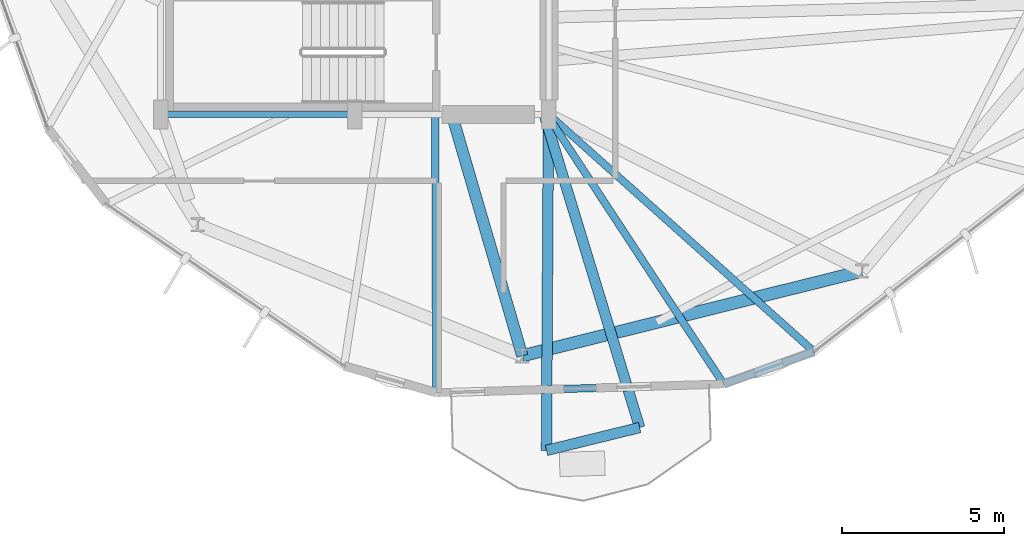
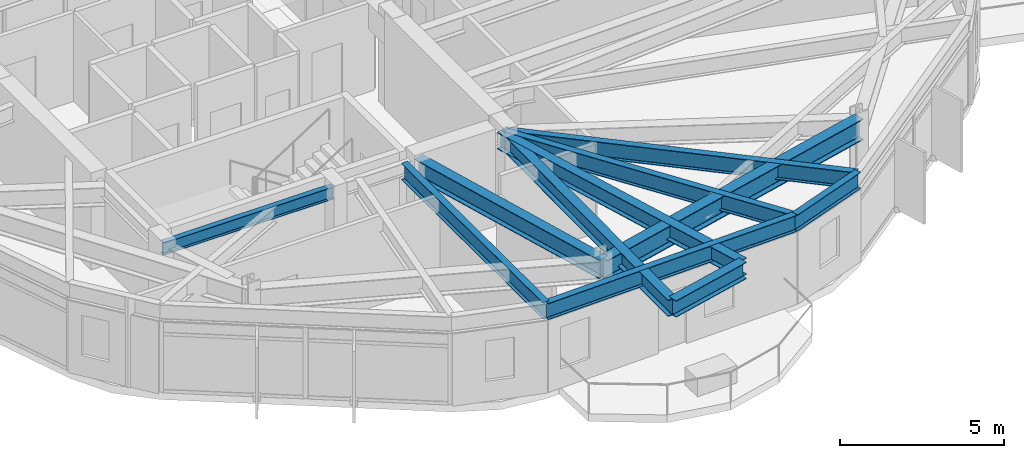
# One storey, part 4 of 23: 11 beams.
"""IFC4 building model written with IfcOpenShell, lengths in metres."""

import ifcopenshell
import ifcopenshell.guid

model = None  # the IFC model being written
_history = None  # IfcOwnerHistory: only IFC2X3 demands one
_inside = {}  # id of a spatial element -> (the spatial element, [elements in it])
_under = {}  # id of a project, library or spatial element -> (it, [spatial elements below it])
_declared = {}  # id of a project -> (the project, [libraries it declares])
_typed = {}  # id of a type object -> (the type object, [elements of that type])
_made_of = {}  # id of a material, layer set ... -> (it, [elements and type objects made of it])


def new_model(schema):
    """Start an empty IFC model of exactly this schema.

    Asked for "IFC4X3", IfcOpenShell would pick the latest addendum, in which some entities
    have other attributes; the version numbers below select the first issue.
    IFC2X3 requires an IfcOwnerHistory on every rooted entity: one is made here for all.
    """
    global model, _history
    if schema == "IFC4X3":
        model = ifcopenshell.file(schema_version=(4, 3, 0, 0))
    else:
        model = ifcopenshell.file(schema=schema)
    _inside.clear()
    _under.clear()
    _declared.clear()
    _typed.clear()
    _made_of.clear()
    _history = None
    if model.schema == "IFC2X3":
        org = make("IfcOrganization", Name="unknown")
        user = make(
            "IfcPersonAndOrganization",
            ThePerson=make("IfcPerson", FamilyName="unknown"),
            TheOrganization=org,
        )
        app = make(
            "IfcApplication",
            ApplicationDeveloper=org,
            Version="unknown",
            ApplicationFullName="unknown",
            ApplicationIdentifier="unknown",
        )
        _history = make(
            "IfcOwnerHistory",
            OwningUser=user,
            OwningApplication=app,
            ChangeAction="ADDED",
            CreationDate=0,
        )
    return model


def make(cls, **values):
    """One entity of the class cls with the attributes given. An attribute that is None is left unset."""
    return model.create_entity(
        cls, **{name: value for name, value in values.items() if value is not None}
    )


def rooted(cls, **values):
    """An entity with a GlobalId (a new one), such as an element, a storey or a relation."""
    return make(cls, GlobalId=ifcopenshell.guid.new(), OwnerHistory=_history, **values)


def si_unit(unit_type, name, prefix=None):
    """IfcSIUnit, for example si_unit("LENGTHUNIT", "METRE", prefix="MILLI")."""
    return make("IfcSIUnit", UnitType=unit_type, Prefix=prefix, Name=name)


def assignment(units):
    """IfcUnitAssignment: the units of a project."""
    return None if units is None else make("IfcUnitAssignment", Units=units)


def point(xyz):
    """IfcCartesianPoint."""
    return None if xyz is None else make("IfcCartesianPoint", Coordinates=xyz)


def direction(xyz):
    """IfcDirection."""
    return None if xyz is None else make("IfcDirection", DirectionRatios=xyz)


def frame(location, z_axis=None, x_axis=None):
    """IfcAxis2Placement3D, a coordinate frame: its origin and axes. An axis left out is left unset."""
    return make(
        "IfcAxis2Placement3D",
        Location=point(location),
        Axis=direction(z_axis),
        RefDirection=direction(x_axis),
    )


def frame_2d(location, x_axis=None):
    """IfcAxis2Placement2D, a coordinate frame in the plane: its origin and x axis."""
    return make(
        "IfcAxis2Placement2D", Location=point(location), RefDirection=direction(x_axis)
    )


def origin():
    """The frame at (0, 0, 0) with its axes left unset."""
    return frame((0.0, 0.0, 0.0))


def origin_2d():
    """The frame at (0, 0) in the plane with its x axis left unset."""
    return frame_2d((0.0, 0.0))


def place(relative_to, where):
    """IfcLocalPlacement: puts the frame where relative to a parent placement (None: the world)."""
    return make(
        "IfcLocalPlacement", PlacementRelTo=relative_to, RelativePlacement=where
    )


def context(
    kind, dimensions, precision=None, world=None, true_north=None, identifier=None
):
    """IfcGeometricRepresentationContext, for example the 3D "Model" context."""
    return make(
        "IfcGeometricRepresentationContext",
        ContextIdentifier=identifier,
        ContextType=kind,
        CoordinateSpaceDimension=dimensions,
        Precision=precision,
        WorldCoordinateSystem=world,
        TrueNorth=true_north,
    )


def subcontext(parent, identifier, kind, view, scale=None):
    """IfcGeometricRepresentationSubContext, for example "Body" below "Model"."""
    return make(
        "IfcGeometricRepresentationSubContext",
        ContextIdentifier=identifier,
        ContextType=kind,
        ParentContext=parent,
        TargetScale=scale,
        TargetView=view,
    )


def project(units=None, contexts=None):
    """IfcProject with its units and contexts."""
    return rooted(
        "IfcProject",
        Name="project",
        RepresentationContexts=contexts,
        UnitsInContext=assignment(units),
    )


def spatial(cls, under=None, at=None, **own):
    """A site, building, storey or space (cls), placed at a placement, below another one or the project."""
    s = rooted(cls, ObjectPlacement=at, **own)
    if under is not None:
        _under.setdefault(under.id(), (under, []))[1].append(s)
    return s


def profile(cls, at=None, kind="AREA", **sizes):
    """A parametric profile (cls). Its sizes go by their IFC names, for example OverallWidth=200.0."""
    return make(cls, ProfileType=kind, Position=at, **sizes)


def i_section(**sizes):
    """IfcIShapeProfileDef."""
    return profile("IfcIShapeProfileDef", **sizes)


def extrude(swept, where, along, depth):
    """IfcExtrudedAreaSolid: the profile swept, set in the frame where, extruded along a direction by depth."""
    return make(
        "IfcExtrudedAreaSolid",
        SweptArea=swept,
        Position=where,
        ExtrudedDirection=direction(along),
        Depth=depth,
    )


def shape(context_of_items, identifier, shape_type, items):
    """IfcShapeRepresentation: the items that make up one representation, for example the "Body"."""
    return make(
        "IfcShapeRepresentation",
        ContextOfItems=context_of_items,
        RepresentationIdentifier=identifier,
        RepresentationType=shape_type,
        Items=items,
    )


def material(Name=None, Category=None):
    """IfcMaterial."""
    return make("IfcMaterial", Name=Name, Category=Category)


def material_profile(
    of_material, cross_section, Name=None, Category=None, Priority=None
):
    """IfcMaterialProfile: a cross section and its material."""
    return make(
        "IfcMaterialProfile",
        Name=Name,
        Material=of_material,
        Profile=cross_section,
        Priority=Priority,
        Category=Category,
    )


def profile_set(profiles, Name=None, composite=None):
    """IfcMaterialProfileSet."""
    return make(
        "IfcMaterialProfileSet",
        Name=Name,
        MaterialProfiles=profiles,
        CompositeProfile=composite,
    )


def made_of(thing, what):
    """Note that an element or type object is made of a material, layer set ...; save() writes the relation."""
    if what is not None:
        _made_of.setdefault(what.id(), (what, []))[1].append(thing)
    return thing


def type_object(cls, material=None, **own):
    """A type object (cls), such as IfcWallType, which elements share."""
    return made_of(rooted(cls, **own), material)


def element(
    cls,
    number,
    at=None,
    inside=None,
    cuts=None,
    type_object=None,
    material=None,
    context=None,
    identifier="Body",
    shape_type=None,
    held_by="IfcProductDefinitionShape",
    body=None,
    shapes=None,
    **own,
):
    """One element of the class cls, such as IfcWall. Its Tag is "e" and its number.

    at: its placement. inside: the storey or other place that contains it. cuts: it is an
    opening in that element (IfcRelVoidsElement). A single representation is given by context,
    identifier, shape_type and body (its items); several are given by shapes. held_by: the class
    of the entity that holds the representations. save() writes the other relations.
    """
    e = rooted(cls, Tag="e%d" % number, ObjectPlacement=at, **own)
    if body is not None:
        shapes = [shape(context, identifier, shape_type, body)]
    if shapes is not None:
        e.Representation = make(held_by, Representations=shapes)
    if inside is not None:
        _inside.setdefault(inside.id(), (inside, []))[1].append(e)
    if cuts is not None:
        rooted(
            "IfcRelVoidsElement", RelatingBuildingElement=cuts, RelatedOpeningElement=e
        )
    if type_object is not None:
        _typed.setdefault(type_object.id(), (type_object, []))[1].append(e)
    return made_of(e, material)


def aggregate(whole, parts):
    """IfcRelAggregates: a whole, such as a stair, and the parts it consists of."""
    return rooted("IfcRelAggregates", RelatingObject=whole, RelatedObjects=parts)


def save(model, path):
    """Write the relations noted so far, then the file.

    IfcRelAggregates (storeys below a building ...), IfcRelContainedInSpatialStructure (elements
    in a storey), IfcRelDefinesByType, IfcRelAssociatesMaterial and IfcRelDeclares: one each for
    every whole, place, type object, material and project.
    """
    for whole, parts in _under.values():
        aggregate(whole, parts)
    for where, things in _inside.values():
        rooted(
            "IfcRelContainedInSpatialStructure",
            RelatedElements=things,
            RelatingStructure=where,
        )
    for kind, things in _typed.values():
        rooted("IfcRelDefinesByType", RelatedObjects=things, RelatingType=kind)
    for what, things in _made_of.values():
        rooted("IfcRelAssociatesMaterial", RelatedObjects=things, RelatingMaterial=what)
    for by, libraries in _declared.values():
        rooted("IfcRelDeclares", RelatingContext=by, RelatedDefinitions=libraries)
    model.write(path)


model = new_model("IFC4")

# Units and contexts
model_context = context("Model", 3, precision=1e-05, world=origin(), true_north=direction((0.0, 1.0)))
body_context = subcontext(model_context, "Body", "Model", "MODEL_VIEW")
ifc_project = project(units=[si_unit("LENGTHUNIT", "METRE"), si_unit("AREAUNIT", "SQUARE_METRE"), si_unit("VOLUMEUNIT", "CUBIC_METRE"), si_unit("PLANEANGLEUNIT", "RADIAN"), si_unit("MASSUNIT", "GRAM", prefix="KILO")], contexts=[model_context])

# Site, building, storey
site_placement = place(None, origin())
site = spatial("IfcSite", under=ifc_project, at=site_placement, CompositionType="ELEMENT")
building_placement = place(site_placement, origin())
building = spatial("IfcBuilding", under=site, at=building_placement, Name="Soratama Intermodal Tower", CompositionType="ELEMENT")
storey_placement = place(building_placement, frame((0.0, 0.0, 171.39990234375)))
storey = spatial("IfcBuildingStorey", under=building, at=storey_placement, Name="L42", CompositionType="ELEMENT", Elevation=171.39990234375)

# Beams
ifc_material_1 = material(Name="Structural steel ASTM A992 Grade 50", Category="steel")
ifc_material_profile_1 = material_profile(ifc_material_1, i_section(OverallWidth=0.324951171875, OverallDepth=0.615966796875, WebThickness=0.013916015625, FlangeThickness=0.021484375, FilletRadius=0.013916015625, at=origin_2d()), Name="W24X117")
ifc_profile_set_1 = profile_set([ifc_material_profile_1], Name="Structural steel ASTM A992 Grade 50")
beam_type_1 = type_object("IfcBeamType", Name="BM-CANT-W24X117", PredefinedType="BEAM", material=ifc_profile_set_1)
beam_1_placement = place(storey_placement, frame((44.52490234375, 4.618896484375, 2.9921875), z_axis=(0.971183893854, 0.238331375019, 0.0), x_axis=(-0.238331375019, 0.971183893854, 0.0)))
element("IfcBeam", 1, at=beam_1_placement, inside=storey, type_object=beam_type_1, Name="BM-L42-CBHDR-3", PredefinedType="BEAM", context=body_context, shape_type="SweptSolid", body=[
    extrude(i_section(OverallWidth=0.324951171875, OverallDepth=0.615966796875, WebThickness=0.013916015625, FlangeThickness=0.021484375, FilletRadius=0.013916015625, at=origin_2d()), origin(), (0.0, 0.0, 1.0), 2.966552734375),
])
beam_2_placement = place(storey_placement, frame((44.5859375, 14.9599609375, 2.9921875), z_axis=(-0.005902109347, -0.999982582401, 0.0), x_axis=(0.999982582401, -0.005902109347, 0.0)))
element("IfcBeam", 2, at=beam_2_placement, inside=storey, type_object=beam_type_1, Name="BM-L42-CANT-3-1", PredefinedType="BEAM", context=body_context, shape_type="SweptSolid", body=[
    extrude(i_section(OverallWidth=0.324951171875, OverallDepth=0.615966796875, WebThickness=0.013916015625, FlangeThickness=0.021484375, FilletRadius=0.013916015625, at=origin_2d()), origin(), (0.0, 0.0, 1.0), 10.34130859375),
])
beam_3_placement = place(storey_placement, frame((44.465087890625, 14.9619140625, 2.9921875), z_axis=(0.291908846073, -0.956446143588, 0.0), x_axis=(0.956446143588, 0.291908846073, 0.0)))
element("IfcBeam", 3, at=beam_3_placement, inside=storey, type_object=beam_type_1, Name="BM-L42-CANT-3-2", PredefinedType="BEAM", context=body_context, shape_type="SweptSolid", body=[
    extrude(i_section(OverallWidth=0.324951171875, OverallDepth=0.615966796875, WebThickness=0.013916015625, FlangeThickness=0.021484375, FilletRadius=0.013916015625, at=origin_2d()), origin(), (0.0, 0.0, 1.0), 10.07470703125),
])
ifc_material_2 = material(Name="Structural steel ASTM A992 Grade 50", Category="steel")
ifc_material_profile_2 = material_profile(ifc_material_2, i_section(OverallWidth=0.19091796875, OverallDepth=0.4599609375, WebThickness=0.010009765625, FlangeThickness=0.01611328125, FilletRadius=0.010986328125, at=origin_2d()), Name="W18X55")
ifc_profile_set_2 = profile_set([ifc_material_profile_2], Name="Structural steel ASTM A992 Grade 50")
beam_type_2 = type_object("IfcBeamType", Name="BM-FLR-W18X55", PredefinedType="BEAM", material=ifc_profile_set_2)
beam_4_placement = place(storey_placement, frame((32.60009765625, 15.0, 3.070068359375), z_axis=(1.0, 0.0, 0.0), x_axis=(0.0, 1.0, 0.0)))
element("IfcBeam", 4, at=beam_4_placement, inside=storey, type_object=beam_type_2, Name="BM-L42-CRING-01", PredefinedType="BEAM", context=body_context, shape_type="SweptSolid", body=[
    extrude(i_section(OverallWidth=0.19091796875, OverallDepth=0.4599609375, WebThickness=0.010009765625, FlangeThickness=0.01611328125, FilletRadius=0.010986328125, at=origin_2d()), origin(), (0.0, 0.0, 1.0), 6.0),
])
ifc_material_3 = material(Name="Structural steel ASTM A992 Grade 50", Category="steel")
ifc_material_profile_3 = material_profile(ifc_material_3, i_section(OverallWidth=0.35498046875, OverallDepth=0.695068359375, WebThickness=0.015380859375, FlangeThickness=0.02490234375, FilletRadius=0.01611328125, at=origin_2d()), Name="W27X146")
ifc_profile_set_3 = profile_set([ifc_material_profile_3], Name="Structural steel ASTM A992 Grade 50")
beam_type_3 = type_object("IfcBeamType", Name="BM-RING-W27X146", PredefinedType="BEAM", material=ifc_profile_set_3)
beam_5_placement = place(storey_placement, frame((41.60009765625, 15.0, 2.95263671875), z_axis=(0.280473008484, -0.959861912731, 0.0), x_axis=(0.959861912731, 0.280473008484, 0.0)))
element("IfcBeam", 5, at=beam_5_placement, inside=storey, type_object=beam_type_3, Name="BM-L42-RAD-08", PredefinedType="BEAM", context=body_context, shape_type="SweptSolid", body=[
    extrude(i_section(OverallWidth=0.35498046875, OverallDepth=0.695068359375, WebThickness=0.015380859375, FlangeThickness=0.02490234375, FilletRadius=0.01611328125, at=origin_2d()), origin(), (0.0, 0.0, 1.0), 7.768798828125),
])
ifc_material_4 = material(Name="Structural steel ASTM A992 Grade 50", Category="steel")
ifc_material_profile_4 = material_profile(ifc_material_4, i_section(OverallWidth=0.382080078125, OverallDepth=0.779052734375, WebThickness=0.01806640625, FlangeThickness=0.030029296875, FilletRadius=0.01806640625, at=origin_2d()), Name="W30X191")
ifc_profile_set_4 = profile_set([ifc_material_profile_4], Name="Structural steel ASTM A992 Grade 50")
beam_type_4 = type_object("IfcBeamType", Name="BM-RING-W30X191", PredefinedType="BEAM", material=ifc_profile_set_4)
beam_6_placement = place(storey_placement, frame((43.779052734375, 7.54296875, 2.91064453125), z_axis=(0.970310893227, 0.241861056155, 0.0), x_axis=(-0.241861056155, 0.970310893227, 0.0)))
element("IfcBeam", 6, at=beam_6_placement, inside=storey, type_object=beam_type_4, Name="BM-L42-RING-08", PredefinedType="BEAM", context=body_context, shape_type="SweptSolid", body=[
    extrude(i_section(OverallWidth=0.382080078125, OverallDepth=0.779052734375, WebThickness=0.01806640625, FlangeThickness=0.030029296875, FilletRadius=0.01806640625, at=origin_2d()), origin(), (0.0, 0.0, 1.0), 10.81591796875),
])
ifc_material_5 = material(Name="Structural steel ASTM A992 Grade 50", Category="steel")
ifc_material_profile_5 = material_profile(ifc_material_5, i_section(OverallWidth=0.22900390625, OverallDepth=0.612060546875, WebThickness=0.011962890625, FlangeThickness=0.01953125, FilletRadius=0.012939453125, at=origin_2d()), Name="W24X84")
ifc_profile_set_5 = profile_set([ifc_material_profile_5], Name="Structural steel ASTM A992 Grade 50")
beam_type_5 = type_object("IfcBeamType", Name="BM-SPN-W24X84", PredefinedType="SPANDREL", material=ifc_profile_set_5)
beam_7_placement = place(storey_placement, frame((41.1201171875, 6.39794921875, 2.994140625), z_axis=(0.999538199975, 0.030387280076, 0.0), x_axis=(-0.030387280076, 0.999538199975, 0.0)))
element("IfcBeam", 7, at=beam_7_placement, inside=storey, type_object=beam_type_5, Name="BS-L42-F07", PredefinedType="SPANDREL", context=body_context, shape_type="SweptSolid", body=[
    extrude(i_section(OverallWidth=0.22900390625, OverallDepth=0.612060546875, WebThickness=0.011962890625, FlangeThickness=0.01953125, FilletRadius=0.012939453125, at=origin_2d()), origin(), (0.0, 0.0, 1.0), 8.885986328125),
])
beam_8_placement = place(storey_placement, frame((50.001953125, 6.66796875, 2.994140625), z_axis=(0.941226878592, 0.337775018341, 0.0), x_axis=(-0.337775018341, 0.941226878592, 0.0)))
element("IfcBeam", 8, at=beam_8_placement, inside=storey, type_object=beam_type_5, Name="BS-L42-CRN07", PredefinedType="SPANDREL", context=body_context, shape_type="SweptSolid", body=[
    extrude(i_section(OverallWidth=0.22900390625, OverallDepth=0.612060546875, WebThickness=0.011962890625, FlangeThickness=0.01953125, FilletRadius=0.012939453125, at=origin_2d()), origin(), (0.0, 0.0, 1.0), 2.96630859375),
])
ifc_material_6 = material(Name="Structural steel ASTM A992 Grade 50", Category="steel")
ifc_material_profile_6 = material_profile(ifc_material_6, i_section(OverallWidth=0.22900390625, OverallDepth=0.612060546875, WebThickness=0.011962890625, FlangeThickness=0.01953125, FilletRadius=0.012939453125, at=origin_2d()), Name="W24X84")
ifc_profile_set_6 = profile_set([ifc_material_profile_6], Name="Structural steel ASTM A992 Grade 50")
beam_type_6 = type_object("IfcBeamType", Name="BM-TIE-W24X84", PredefinedType="BEAM", material=ifc_profile_set_6)
beam_9_placement = place(storey_placement, frame((41.0869140625, 14.9599609375, 2.994140625), z_axis=(0.00387792921, -0.999992480804, 0.0), x_axis=(0.999992480804, 0.00387792921, 0.0)))
element("IfcBeam", 9, at=beam_9_placement, inside=storey, type_object=beam_type_6, Name="BM-L42-TIE0-07", PredefinedType="BEAM", context=body_context, shape_type="SweptSolid", body=[
    extrude(i_section(OverallWidth=0.22900390625, OverallDepth=0.612060546875, WebThickness=0.011962890625, FlangeThickness=0.01953125, FilletRadius=0.012939453125, at=origin_2d()), origin(), (0.0, 0.0, 1.0), 8.56201171875),
])
beam_10_placement = place(storey_placement, frame((44.55908203125, 14.967041015625, 2.994140625), z_axis=(0.548417310269, -0.836204791781, 0.0), x_axis=(0.836204791781, 0.548417310269, 0.0)))
element("IfcBeam", 10, at=beam_10_placement, inside=storey, type_object=beam_type_6, Name="BM-L42-TIE1-07", PredefinedType="BEAM", context=body_context, shape_type="SweptSolid", body=[
    extrude(i_section(OverallWidth=0.22900390625, OverallDepth=0.612060546875, WebThickness=0.011962890625, FlangeThickness=0.01953125, FilletRadius=0.012939453125, at=origin_2d()), origin(), (0.0, 0.0, 1.0), 9.9248046875),
])
beam_11_placement = place(storey_placement, frame((44.6220703125, 14.972900390625, 2.994140625), z_axis=(0.745635612482, -0.66635391002, 0.0), x_axis=(0.66635391002, 0.745635612482, 0.0)))
element("IfcBeam", 11, at=beam_11_placement, inside=storey, type_object=beam_type_6, Name="BM-L42-TIE0-08", PredefinedType="BEAM", context=body_context, shape_type="SweptSolid", body=[
    extrude(i_section(OverallWidth=0.22900390625, OverallDepth=0.612060546875, WebThickness=0.011962890625, FlangeThickness=0.01953125, FilletRadius=0.012939453125, at=origin_2d()), origin(), (0.0, 0.0, 1.0), 10.959716796875),
])

save(model, "model.ifc")
